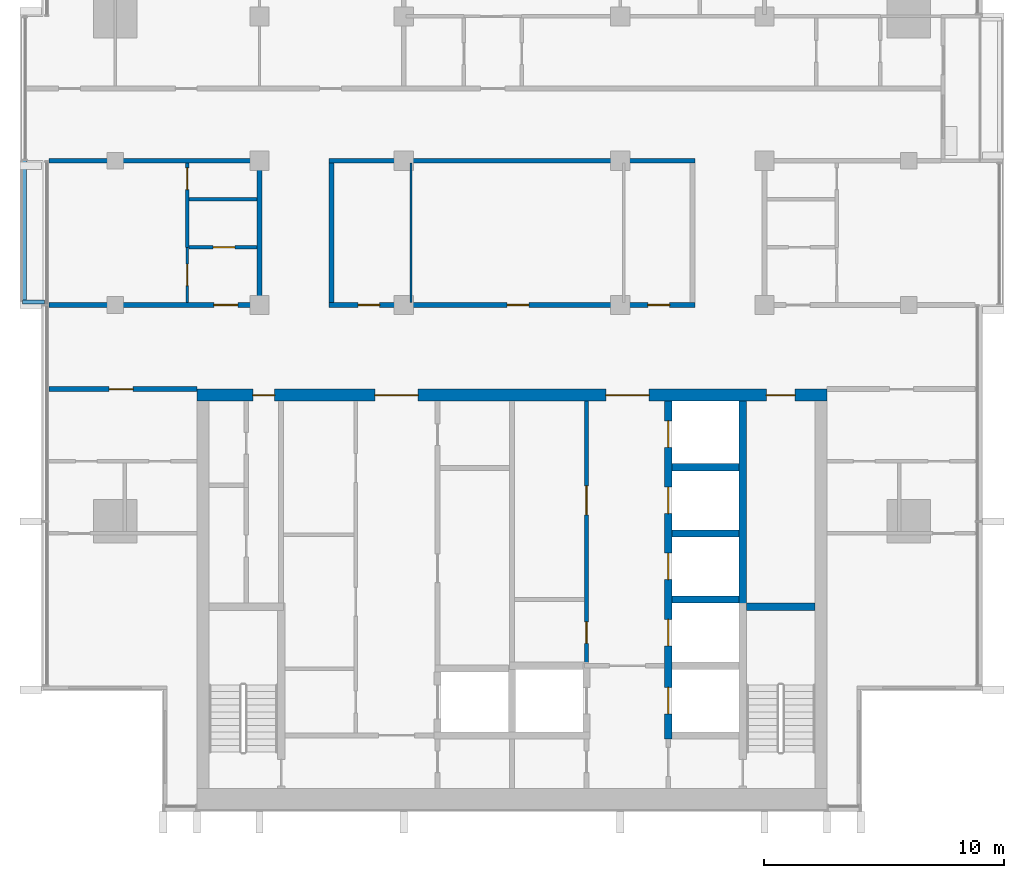
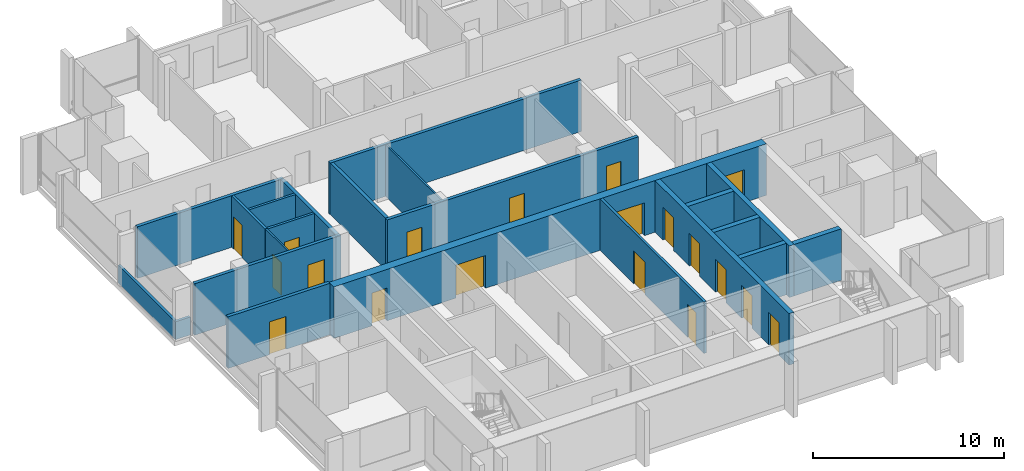
# One storey, part 8 of 16: 22 walls, 19 doors, 19 openings.
"""IFC4 building model written with IfcOpenShell, lengths in metres."""

import ifcopenshell
import ifcopenshell.guid

model = None  # the IFC model being written
_history = None  # IfcOwnerHistory: only IFC2X3 demands one
_inside = {}  # id of a spatial element -> (the spatial element, [elements in it])
_under = {}  # id of a project, library or spatial element -> (it, [spatial elements below it])
_declared = {}  # id of a project -> (the project, [libraries it declares])
_typed = {}  # id of a type object -> (the type object, [elements of that type])
_made_of = {}  # id of a material, layer set ... -> (it, [elements and type objects made of it])


def new_model(schema):
    """Start an empty IFC model of exactly this schema.

    Asked for "IFC4X3", IfcOpenShell would pick the latest addendum, in which some entities
    have other attributes; the version numbers below select the first issue.
    IFC2X3 requires an IfcOwnerHistory on every rooted entity: one is made here for all.
    """
    global model, _history
    if schema == "IFC4X3":
        model = ifcopenshell.file(schema_version=(4, 3, 0, 0))
    else:
        model = ifcopenshell.file(schema=schema)
    _inside.clear()
    _under.clear()
    _declared.clear()
    _typed.clear()
    _made_of.clear()
    _history = None
    if model.schema == "IFC2X3":
        org = make("IfcOrganization", Name="unknown")
        user = make(
            "IfcPersonAndOrganization",
            ThePerson=make("IfcPerson", FamilyName="unknown"),
            TheOrganization=org,
        )
        app = make(
            "IfcApplication",
            ApplicationDeveloper=org,
            Version="unknown",
            ApplicationFullName="unknown",
            ApplicationIdentifier="unknown",
        )
        _history = make(
            "IfcOwnerHistory",
            OwningUser=user,
            OwningApplication=app,
            ChangeAction="ADDED",
            CreationDate=0,
        )
    return model


def make(cls, **values):
    """One entity of the class cls with the attributes given. An attribute that is None is left unset."""
    return model.create_entity(
        cls, **{name: value for name, value in values.items() if value is not None}
    )


def rooted(cls, **values):
    """An entity with a GlobalId (a new one), such as an element, a storey or a relation."""
    return make(cls, GlobalId=ifcopenshell.guid.new(), OwnerHistory=_history, **values)


def si_unit(unit_type, name, prefix=None):
    """IfcSIUnit, for example si_unit("LENGTHUNIT", "METRE", prefix="MILLI")."""
    return make("IfcSIUnit", UnitType=unit_type, Prefix=prefix, Name=name)


def assignment(units):
    """IfcUnitAssignment: the units of a project."""
    return None if units is None else make("IfcUnitAssignment", Units=units)


def point(xyz):
    """IfcCartesianPoint."""
    return None if xyz is None else make("IfcCartesianPoint", Coordinates=xyz)


def direction(xyz):
    """IfcDirection."""
    return None if xyz is None else make("IfcDirection", DirectionRatios=xyz)


def frame(location, z_axis=None, x_axis=None):
    """IfcAxis2Placement3D, a coordinate frame: its origin and axes. An axis left out is left unset."""
    return make(
        "IfcAxis2Placement3D",
        Location=point(location),
        Axis=direction(z_axis),
        RefDirection=direction(x_axis),
    )


def frame_2d(location, x_axis=None):
    """IfcAxis2Placement2D, a coordinate frame in the plane: its origin and x axis."""
    return make(
        "IfcAxis2Placement2D", Location=point(location), RefDirection=direction(x_axis)
    )


def origin():
    """The frame at (0, 0, 0) with its axes left unset."""
    return frame((0.0, 0.0, 0.0))


def place(relative_to, where):
    """IfcLocalPlacement: puts the frame where relative to a parent placement (None: the world)."""
    return make(
        "IfcLocalPlacement", PlacementRelTo=relative_to, RelativePlacement=where
    )


def context(
    kind, dimensions, precision=None, world=None, true_north=None, identifier=None
):
    """IfcGeometricRepresentationContext, for example the 3D "Model" context."""
    return make(
        "IfcGeometricRepresentationContext",
        ContextIdentifier=identifier,
        ContextType=kind,
        CoordinateSpaceDimension=dimensions,
        Precision=precision,
        WorldCoordinateSystem=world,
        TrueNorth=true_north,
    )


def subcontext(parent, identifier, kind, view, scale=None):
    """IfcGeometricRepresentationSubContext, for example "Body" below "Model"."""
    return make(
        "IfcGeometricRepresentationSubContext",
        ContextIdentifier=identifier,
        ContextType=kind,
        ParentContext=parent,
        TargetScale=scale,
        TargetView=view,
    )


def project(units=None, contexts=None):
    """IfcProject with its units and contexts."""
    return rooted(
        "IfcProject",
        Name="project",
        RepresentationContexts=contexts,
        UnitsInContext=assignment(units),
    )


def spatial(cls, under=None, at=None, **own):
    """A site, building, storey or space (cls), placed at a placement, below another one or the project."""
    s = rooted(cls, ObjectPlacement=at, **own)
    if under is not None:
        _under.setdefault(under.id(), (under, []))[1].append(s)
    return s


def profile(cls, at=None, kind="AREA", **sizes):
    """A parametric profile (cls). Its sizes go by their IFC names, for example OverallWidth=200.0."""
    return make(cls, ProfileType=kind, Position=at, **sizes)


def rectangle(**sizes):
    """IfcRectangleProfileDef."""
    return profile("IfcRectangleProfileDef", **sizes)


def extrude(swept, where, along, depth):
    """IfcExtrudedAreaSolid: the profile swept, set in the frame where, extruded along a direction by depth."""
    return make(
        "IfcExtrudedAreaSolid",
        SweptArea=swept,
        Position=where,
        ExtrudedDirection=direction(along),
        Depth=depth,
    )


def shape(context_of_items, identifier, shape_type, items):
    """IfcShapeRepresentation: the items that make up one representation, for example the "Body"."""
    return make(
        "IfcShapeRepresentation",
        ContextOfItems=context_of_items,
        RepresentationIdentifier=identifier,
        RepresentationType=shape_type,
        Items=items,
    )


def material(Name=None, Category=None):
    """IfcMaterial."""
    return make("IfcMaterial", Name=Name, Category=Category)


def layer(
    of_material, thickness, ventilated=None, Name=None, Category=None, Priority=None
):
    """IfcMaterialLayer: one layer of a wall or slab, of a material (None: an air gap)."""
    return make(
        "IfcMaterialLayer",
        Material=of_material,
        LayerThickness=thickness,
        IsVentilated=ventilated,
        Name=Name,
        Category=Category,
        Priority=Priority,
    )


def layer_set(layers, Name=None):
    """IfcMaterialLayerSet."""
    return make("IfcMaterialLayerSet", MaterialLayers=layers, LayerSetName=Name)


def made_of(thing, what):
    """Note that an element or type object is made of a material, layer set ...; save() writes the relation."""
    if what is not None:
        _made_of.setdefault(what.id(), (what, []))[1].append(thing)
    return thing


def type_object(cls, material=None, **own):
    """A type object (cls), such as IfcWallType, which elements share."""
    return made_of(rooted(cls, **own), material)


def element(
    cls,
    number,
    at=None,
    inside=None,
    cuts=None,
    type_object=None,
    material=None,
    context=None,
    identifier="Body",
    shape_type=None,
    held_by="IfcProductDefinitionShape",
    body=None,
    shapes=None,
    **own,
):
    """One element of the class cls, such as IfcWall. Its Tag is "e" and its number.

    at: its placement. inside: the storey or other place that contains it. cuts: it is an
    opening in that element (IfcRelVoidsElement). A single representation is given by context,
    identifier, shape_type and body (its items); several are given by shapes. held_by: the class
    of the entity that holds the representations. save() writes the other relations.
    """
    e = rooted(cls, Tag="e%d" % number, ObjectPlacement=at, **own)
    if body is not None:
        shapes = [shape(context, identifier, shape_type, body)]
    if shapes is not None:
        e.Representation = make(held_by, Representations=shapes)
    if inside is not None:
        _inside.setdefault(inside.id(), (inside, []))[1].append(e)
    if cuts is not None:
        rooted(
            "IfcRelVoidsElement", RelatingBuildingElement=cuts, RelatedOpeningElement=e
        )
    if type_object is not None:
        _typed.setdefault(type_object.id(), (type_object, []))[1].append(e)
    return made_of(e, material)


def fill(opening, filler):
    """IfcRelFillsElement: the door or window that sits in an opening."""
    return rooted(
        "IfcRelFillsElement",
        RelatingOpeningElement=opening,
        RelatedBuildingElement=filler,
    )


def aggregate(whole, parts):
    """IfcRelAggregates: a whole, such as a stair, and the parts it consists of."""
    return rooted("IfcRelAggregates", RelatingObject=whole, RelatedObjects=parts)


def save(model, path):
    """Write the relations noted so far, then the file.

    IfcRelAggregates (storeys below a building ...), IfcRelContainedInSpatialStructure (elements
    in a storey), IfcRelDefinesByType, IfcRelAssociatesMaterial and IfcRelDeclares: one each for
    every whole, place, type object, material and project.
    """
    for whole, parts in _under.values():
        aggregate(whole, parts)
    for where, things in _inside.values():
        rooted(
            "IfcRelContainedInSpatialStructure",
            RelatedElements=things,
            RelatingStructure=where,
        )
    for kind, things in _typed.values():
        rooted("IfcRelDefinesByType", RelatedObjects=things, RelatingType=kind)
    for what, things in _made_of.values():
        rooted("IfcRelAssociatesMaterial", RelatedObjects=things, RelatingMaterial=what)
    for by, libraries in _declared.values():
        rooted("IfcRelDeclares", RelatingContext=by, RelatedDefinitions=libraries)
    model.write(path)


model = new_model("IFC4")

# Units and contexts
model_context = context("Model", 3, precision=1e-05, world=origin(), true_north=direction((0.0, 1.0)))
body_context = subcontext(model_context, "Body", "Model", "MODEL_VIEW")
ifc_project = project(units=[si_unit("LENGTHUNIT", "METRE"), si_unit("AREAUNIT", "SQUARE_METRE"), si_unit("VOLUMEUNIT", "CUBIC_METRE"), si_unit("PLANEANGLEUNIT", "RADIAN"), si_unit("MASSUNIT", "GRAM", prefix="KILO")], contexts=[model_context])

# Site, building, storey
site_placement = place(None, origin())
site = spatial("IfcSite", under=ifc_project, at=site_placement, CompositionType="ELEMENT")
building_placement = place(site_placement, origin())
building = spatial("IfcBuilding", under=site, at=building_placement, Name="Finial Court Residences", CompositionType="ELEMENT")
storey_placement = place(building_placement, frame((0.0, 0.0, 259.10009765625)))
storey = spatial("IfcBuildingStorey", under=building, at=storey_placement, Name="L65", CompositionType="ELEMENT", Elevation=259.10009765625)

# Wall, openings, doors
ifc_material_1 = material(Name="Concrete C50/60", Category="concrete")
ifc_layer_1 = layer(ifc_material_1, 0.5)
ifc_layer_set_1 = layer_set([ifc_layer_1], Name="Core outer wall 500 Concrete C50/60")
wall_type_1 = type_object("IfcWallType", Name="Core outer wall 500 Concrete C50/60", PredefinedType="SHEAR", material=ifc_layer_set_1)
wall_1_placement = place(storey_placement, frame((-13.10009765625, -8.25, 0.0), z_axis=(0.0, 0.0, 1.0), x_axis=(1.0, 0.0, 0.0)))
wall_1 = element("IfcWall", 1, at=wall_1_placement, inside=storey, type_object=wall_type_1, Name="Core outer wall L65-02", PredefinedType="SHEAR", context=body_context, shape_type="SweptSolid", body=[
    extrude(rectangle(XDim=26.2001953125, YDim=0.5, at=frame_2d((13.10009765625, 0.0))), origin(), (0.0, 0.0, 1.0), 3.2998046875),
])
opening_1_placement = place(wall_1_placement, frame((7.39990234375, 0.0, 0.0)))
opening_1 = element("IfcOpeningElement", 2, at=opening_1_placement, cuts=wall_1, Name="Opening L65-C04", PredefinedType="OPENING", context=body_context, shape_type="SweptSolid", body=[
    extrude(rectangle(XDim=1.800048828125, YDim=2.10009765625, at=frame_2d((0.89990234375, 1.050048828125))), frame((0.0, 0.260009765625, 0.0), z_axis=(0.0, -1.0, 0.0), x_axis=(1.0, 0.0, 0.0)), (0.0, 0.0, 1.0), 0.52001953125),
])
opening_2_placement = place(wall_1_placement, frame((17.0, 0.0, 0.0)))
opening_2 = element("IfcOpeningElement", 3, at=opening_2_placement, cuts=wall_1, Name="Opening L65-C05", PredefinedType="OPENING", context=body_context, shape_type="SweptSolid", body=[
    extrude(rectangle(XDim=1.800048828125, YDim=2.10009765625, at=frame_2d((0.89990234375, 1.050048828125))), frame((0.0, 0.260009765625, 0.0), z_axis=(0.0, -1.0, 0.0), x_axis=(1.0, 0.0, 0.0)), (0.0, 0.0, 1.0), 0.52001953125),
])
opening_3_placement = place(wall_1_placement, frame((2.324951171875, 0.0, 0.0)))
opening_3 = element("IfcOpeningElement", 4, at=opening_3_placement, cuts=wall_1, Name="Opening L65-C10", PredefinedType="OPENING", context=body_context, shape_type="SweptSolid", body=[
    extrude(rectangle(XDim=0.89990234375, YDim=2.10009765625, at=frame_2d((0.449951171875, 1.050048828125))), frame((0.0, 0.260009765625, 0.0), z_axis=(0.0, -1.0, 0.0), x_axis=(1.0, 0.0, 0.0)), (0.0, 0.0, 1.0), 0.52001953125),
])
opening_4_placement = place(wall_1_placement, frame((23.675048828125, 0.0, 0.0)))
opening_4 = element("IfcOpeningElement", 5, at=opening_4_placement, cuts=wall_1, Name="Opening L65-C11", PredefinedType="OPENING", context=body_context, shape_type="SweptSolid", body=[
    extrude(rectangle(XDim=1.199951171875, YDim=2.10009765625, at=frame_2d((0.60009765625, 1.050048828125))), frame((0.0, 0.260009765625, 0.0), z_axis=(0.0, -1.0, 0.0), x_axis=(1.0, 0.0, 0.0)), (0.0, 0.0, 1.0), 0.52001953125),
])
ifc_material_2 = material(Name="Steel fire door", Category="steel")
door_type_1 = type_object("IfcDoorType", Name="Lift lobby door 1800 x 2100 EI 60", OperationType="DOUBLE_DOOR_SINGLE_SWING", PredefinedType="DOOR", material=ifc_material_2)
door_1_placement = place(opening_1_placement, origin())
door_1 = element("IfcDoor", 6, at=door_1_placement, inside=storey, type_object=door_type_1, Name="Lift lobby door L65-C04", OperationType="DOUBLE_DOOR_SINGLE_SWING", OverallHeight=2.10009765625, OverallWidth=1.800048828125, PredefinedType="DOOR", context=body_context, shape_type="SweptSolid", body=[
    extrude(rectangle(XDim=1.800048828125, YDim=2.10009765625, at=frame_2d((0.89990234375, 1.050048828125))), frame((0.0, 0.02490234375, 0.0), z_axis=(0.0, -1.0, 0.0), x_axis=(1.0, 0.0, 0.0)), (0.0, 0.0, 1.0), 0.050048828125),
])
fill(opening_1, door_1)
door_2_placement = place(opening_2_placement, origin())
door_2 = element("IfcDoor", 7, at=door_2_placement, inside=storey, type_object=door_type_1, Name="Lift lobby door L65-C05", OperationType="DOUBLE_DOOR_SINGLE_SWING", OverallHeight=2.10009765625, OverallWidth=1.800048828125, PredefinedType="DOOR", context=body_context, shape_type="SweptSolid", body=[
    extrude(rectangle(XDim=1.800048828125, YDim=2.10009765625, at=frame_2d((0.89990234375, 1.050048828125))), frame((0.0, 0.02490234375, 0.0), z_axis=(0.0, -1.0, 0.0), x_axis=(1.0, 0.0, 0.0)), (0.0, 0.0, 1.0), 0.050048828125),
])
fill(opening_2, door_2)
door_type_2 = type_object("IfcDoorType", Name="Riser room door 1200 x 2100 EI 90", OperationType="NOTDEFINED", PredefinedType="DOOR", material=ifc_material_2)
door_3_placement = place(opening_4_placement, origin())
door_3 = element("IfcDoor", 8, at=door_3_placement, inside=storey, type_object=door_type_2, Name="Riser room door L65-C11", OperationType="SINGLE_SWING_RIGHT", OverallHeight=2.10009765625, OverallWidth=1.199951171875, PredefinedType="DOOR", context=body_context, shape_type="SweptSolid", body=[
    extrude(rectangle(XDim=1.199951171875, YDim=2.10009765625, at=frame_2d((0.60009765625, 1.050048828125))), frame((0.0, 0.02490234375, 0.0), z_axis=(0.0, -1.0, 0.0), x_axis=(1.0, 0.0, 0.0)), (0.0, 0.0, 1.0), 0.050048828125),
])
fill(opening_4, door_3)
door_type_3 = type_object("IfcDoorType", Name="Riser room door 900 x 2100 EI 90", OperationType="NOTDEFINED", PredefinedType="DOOR", material=ifc_material_2)
door_4_placement = place(opening_3_placement, origin())
door_4 = element("IfcDoor", 9, at=door_4_placement, inside=storey, type_object=door_type_3, Name="Riser room door L65-C10", OperationType="SINGLE_SWING_RIGHT", OverallHeight=2.10009765625, OverallWidth=0.89990234375, PredefinedType="DOOR", context=body_context, shape_type="SweptSolid", body=[
    extrude(rectangle(XDim=0.89990234375, YDim=2.10009765625, at=frame_2d((0.449951171875, 1.050048828125))), frame((0.0, 0.02490234375, 0.0), z_axis=(0.0, -1.0, 0.0), x_axis=(1.0, 0.0, 0.0)), (0.0, 0.0, 1.0), 0.050048828125),
])
fill(opening_3, door_4)

ifc_material_3 = material(Name="Fire-rated gypsum board partition")
ifc_layer_2 = layer(ifc_material_3, 0.14990234375)
ifc_layer_set_2 = layer_set([ifc_layer_2], Name="Core room partition 150 EI 60")
wall_type_2 = type_object("IfcWallType", Name="Core room partition 150 EI 60", PredefinedType="PARTITIONING", material=ifc_layer_set_2)
wall_2_placement = place(storey_placement, frame((3.10009765625, -19.39990234375, 0.0), z_axis=(0.0, 0.0, 1.0), x_axis=(0.0, 1.0, 0.0)))
wall_2 = element("IfcWall", 10, at=wall_2_placement, inside=storey, type_object=wall_type_2, Name="Core partition L65-31", PredefinedType="PARTITIONING", context=body_context, shape_type="SweptSolid", body=[
    extrude(rectangle(XDim=10.89990234375, YDim=0.14990234375, at=frame_2d((5.449951171875, 0.0))), origin(), (0.0, 0.0, 1.0), 3.2998046875),
])
opening_5_placement = place(wall_2_placement, frame((0.824951171875, 0.0, 0.0)))
opening_5 = element("IfcOpeningElement", 11, at=opening_5_placement, cuts=wall_2, Name="Opening L65-C17", PredefinedType="OPENING", context=body_context, shape_type="SweptSolid", body=[
    extrude(rectangle(XDim=0.89990234375, YDim=2.10009765625, at=frame_2d((0.449951171875, 1.050048828125))), frame((0.0, 0.0849609375, 0.0), z_axis=(0.0, -1.0, 0.0), x_axis=(1.0, 0.0, 0.0)), (0.0, 0.0, 1.0), 0.169921875),
])
opening_6_placement = place(wall_2_placement, frame((6.175048828125, 0.0, 0.0)))
opening_6 = element("IfcOpeningElement", 12, at=opening_6_placement, cuts=wall_2, Name="Opening L65-C18", PredefinedType="OPENING", context=body_context, shape_type="SweptSolid", body=[
    extrude(rectangle(XDim=1.199951171875, YDim=2.10009765625, at=frame_2d((0.60009765625, 1.050048828125))), frame((0.0, 0.0849609375, 0.0), z_axis=(0.0, -1.0, 0.0), x_axis=(1.0, 0.0, 0.0)), (0.0, 0.0, 1.0), 0.169921875),
])
door_type_4 = type_object("IfcDoorType", Name="Core room door 1200 x 2100 EI 60", OperationType="NOTDEFINED", PredefinedType="DOOR", material=ifc_material_2)
door_5_placement = place(opening_6_placement, origin())
door_5 = element("IfcDoor", 13, at=door_5_placement, inside=storey, type_object=door_type_4, Name="Core room door L65-C18", OperationType="SINGLE_SWING_LEFT", OverallHeight=2.10009765625, OverallWidth=1.199951171875, PredefinedType="DOOR", context=body_context, shape_type="SweptSolid", body=[
    extrude(rectangle(XDim=1.199951171875, YDim=2.10009765625, at=frame_2d((0.60009765625, 1.050048828125))), frame((0.0, 0.02490234375, 0.0), z_axis=(0.0, -1.0, 0.0), x_axis=(1.0, 0.0, 0.0)), (0.0, 0.0, 1.0), 0.050048828125),
])
fill(opening_6, door_5)
door_type_5 = type_object("IfcDoorType", Name="Core room door 900 x 2100 EI 60", OperationType="NOTDEFINED", PredefinedType="DOOR", material=ifc_material_2)
door_6_placement = place(opening_5_placement, origin())
door_6 = element("IfcDoor", 14, at=door_6_placement, inside=storey, type_object=door_type_5, Name="Core room door L65-C17", OperationType="SINGLE_SWING_LEFT", OverallHeight=2.10009765625, OverallWidth=0.89990234375, PredefinedType="DOOR", context=body_context, shape_type="SweptSolid", body=[
    extrude(rectangle(XDim=0.89990234375, YDim=2.10009765625, at=frame_2d((0.449951171875, 1.050048828125))), frame((0.0, 0.02490234375, 0.0), z_axis=(0.0, -1.0, 0.0), x_axis=(1.0, 0.0, 0.0)), (0.0, 0.0, 1.0), 0.050048828125),
])
fill(opening_5, door_6)

# Wall, opening, door
ifc_material_4 = material(Name="Gypsum board")
ifc_layer_3 = layer(ifc_material_4, 0.02490234375)
ifc_material_5 = material(Name="Acoustic mineral wool in double frame")
ifc_layer_4 = layer(ifc_material_5, 0.14990234375)
ifc_layer_5 = layer(ifc_material_4, 0.02490234375)
ifc_layer_set_3 = layer_set([ifc_layer_3, ifc_layer_4, ifc_layer_5], Name="Corridor wall 200, 1 hour")
wall_type_3 = type_object("IfcWallType", Name="Corridor wall 200, 1 hour", PredefinedType="PARTITIONING", material=ifc_layer_set_3)
wall_3_placement = place(storey_placement, frame((-19.262451171875, -8.0, 0.0), z_axis=(0.0, 0.0, 1.0), x_axis=(1.0, 0.0, 0.0)))
wall_3 = element("IfcWall", 15, at=wall_3_placement, inside=storey, type_object=wall_type_3, Name="Partition L65-004", PredefinedType="PARTITIONING", context=body_context, shape_type="SweptSolid", body=[
    extrude(rectangle(XDim=6.162353515625, YDim=0.199951171875, at=frame_2d((3.0810546875, 0.0))), origin(), (0.0, 0.0, 1.0), 3.2998046875),
])
opening_7_placement = place(wall_3_placement, frame((2.511962890625, 0.0, 0.0)))
opening_7 = element("IfcOpeningElement", 16, at=opening_7_placement, cuts=wall_3, Name="Opening L65-D007", PredefinedType="OPENING", context=body_context, shape_type="SweptSolid", body=[
    extrude(rectangle(XDim=1.0, YDim=2.10009765625, at=frame_2d((0.5, 1.050048828125))), frame((0.0, 0.10986328125, 0.0), z_axis=(0.0, -1.0, 0.0), x_axis=(1.0, 0.0, 0.0)), (0.0, 0.0, 1.0), 0.219970703125),
])
ifc_material_6 = material(Name="Timber door leaf in hollow metal frame", Category="wood")
door_type_6 = type_object("IfcDoorType", Name="Fire door set 1000 x 2100, 30 minutes", OperationType="SINGLE_SWING_LEFT", PredefinedType="DOOR", material=ifc_material_6)
door_7_placement = place(opening_7_placement, origin())
door_7 = element("IfcDoor", 17, at=door_7_placement, inside=storey, type_object=door_type_6, Name="Door L65-D007", OperationType="SINGLE_SWING_LEFT", OverallHeight=2.10009765625, OverallWidth=1.0, PredefinedType="DOOR", context=body_context, shape_type="SweptSolid", body=[
    extrude(rectangle(XDim=1.0, YDim=2.10009765625, at=frame_2d((0.5, 1.050048828125))), frame((0.0, 0.02490234375, 0.0), z_axis=(0.0, -1.0, 0.0), x_axis=(1.0, 0.0, 0.0)), (0.0, 0.0, 1.0), 0.050048828125),
])
fill(opening_7, door_7)

wall_4_placement = place(storey_placement, frame((-19.262451171875, -4.5, 0.0), z_axis=(0.0, 0.0, 1.0), x_axis=(1.0, 0.0, 0.0)))
wall_4 = element("IfcWall", 18, at=wall_4_placement, inside=storey, type_object=wall_type_3, Name="Partition L65-006", PredefinedType="PARTITIONING", context=body_context, shape_type="SweptSolid", body=[
    extrude(rectangle(XDim=8.862548828125, YDim=0.199951171875, at=frame_2d((4.43115234375, 0.0))), origin(), (0.0, 0.0, 1.0), 3.2998046875),
])
opening_8_placement = place(wall_4_placement, frame((6.862060546875, 0.0, 0.0)))
opening_8 = element("IfcOpeningElement", 19, at=opening_8_placement, cuts=wall_4, Name="Opening L65-D009", PredefinedType="OPENING", context=body_context, shape_type="SweptSolid", body=[
    extrude(rectangle(XDim=1.0, YDim=2.10009765625, at=frame_2d((0.5, 1.050048828125))), frame((0.0, 0.10986328125, 0.0), z_axis=(0.0, -1.0, 0.0), x_axis=(1.0, 0.0, 0.0)), (0.0, 0.0, 1.0), 0.219970703125),
])
door_8_placement = place(opening_8_placement, origin())
door_8 = element("IfcDoor", 20, at=door_8_placement, inside=storey, type_object=door_type_6, Name="Door L65-D009", OperationType="SINGLE_SWING_LEFT", OverallHeight=2.10009765625, OverallWidth=1.0, PredefinedType="DOOR", context=body_context, shape_type="SweptSolid", body=[
    extrude(rectangle(XDim=1.0, YDim=2.10009765625, at=frame_2d((0.5, 1.050048828125))), frame((0.0, 0.02490234375, 0.0), z_axis=(0.0, -1.0, 0.0), x_axis=(1.0, 0.0, 0.0)), (0.0, 0.0, 1.0), 0.050048828125),
])
fill(opening_8, door_8)

# Wall, openings, doors
wall_5_placement = place(storey_placement, frame((-7.60009765625, -4.5, 0.0), z_axis=(0.0, 0.0, 1.0), x_axis=(1.0, 0.0, 0.0)))
wall_5 = element("IfcWall", 21, at=wall_5_placement, inside=storey, type_object=wall_type_3, Name="Partition L65-007", PredefinedType="PARTITIONING", context=body_context, shape_type="SweptSolid", body=[
    extrude(rectangle(XDim=15.2001953125, YDim=0.199951171875, at=frame_2d((7.60009765625, 0.0))), origin(), (0.0, 0.0, 1.0), 3.2998046875),
])
opening_9_placement = place(wall_5_placement, frame((1.199951171875, 0.0, 0.0)))
opening_9 = element("IfcOpeningElement", 22, at=opening_9_placement, cuts=wall_5, Name="Opening L65-D010", PredefinedType="OPENING", context=body_context, shape_type="SweptSolid", body=[
    extrude(rectangle(XDim=0.89990234375, YDim=2.10009765625, at=frame_2d((0.449951171875, 1.050048828125))), frame((0.0, 0.10986328125, 0.0), z_axis=(0.0, -1.0, 0.0), x_axis=(1.0, 0.0, 0.0)), (0.0, 0.0, 1.0), 0.219970703125),
])
opening_10_placement = place(wall_5_placement, frame((7.39990234375, 0.0, 0.0)))
opening_10 = element("IfcOpeningElement", 23, at=opening_10_placement, cuts=wall_5, Name="Opening L65-D011", PredefinedType="OPENING", context=body_context, shape_type="SweptSolid", body=[
    extrude(rectangle(XDim=0.89990234375, YDim=2.10009765625, at=frame_2d((0.449951171875, 1.050048828125))), frame((0.0, 0.10986328125, 0.0), z_axis=(0.0, -1.0, 0.0), x_axis=(1.0, 0.0, 0.0)), (0.0, 0.0, 1.0), 0.219970703125),
])
opening_11_placement = place(wall_5_placement, frame((13.25, 0.0, 0.0)))
opening_11 = element("IfcOpeningElement", 24, at=opening_11_placement, cuts=wall_5, Name="Opening L65-D012", PredefinedType="OPENING", context=body_context, shape_type="SweptSolid", body=[
    extrude(rectangle(XDim=0.89990234375, YDim=2.10009765625, at=frame_2d((0.449951171875, 1.050048828125))), frame((0.0, 0.10986328125, 0.0), z_axis=(0.0, -1.0, 0.0), x_axis=(1.0, 0.0, 0.0)), (0.0, 0.0, 1.0), 0.219970703125),
])
door_type_7 = type_object("IfcDoorType", Name="Fire door set 900 x 2100, 30 minutes", OperationType="SINGLE_SWING_LEFT", PredefinedType="DOOR", material=ifc_material_6)
door_9_placement = place(opening_9_placement, origin())
door_9 = element("IfcDoor", 25, at=door_9_placement, inside=storey, type_object=door_type_7, Name="Door L65-D010", OperationType="SINGLE_SWING_RIGHT", OverallHeight=2.10009765625, OverallWidth=0.89990234375, PredefinedType="DOOR", context=body_context, shape_type="SweptSolid", body=[
    extrude(rectangle(XDim=0.89990234375, YDim=2.10009765625, at=frame_2d((0.449951171875, 1.050048828125))), frame((0.0, 0.02490234375, 0.0), z_axis=(0.0, -1.0, 0.0), x_axis=(1.0, 0.0, 0.0)), (0.0, 0.0, 1.0), 0.050048828125),
])
fill(opening_9, door_9)
door_10_placement = place(opening_10_placement, origin())
door_10 = element("IfcDoor", 26, at=door_10_placement, inside=storey, type_object=door_type_7, Name="Door L65-D011", OperationType="SINGLE_SWING_LEFT", OverallHeight=2.10009765625, OverallWidth=0.89990234375, PredefinedType="DOOR", context=body_context, shape_type="SweptSolid", body=[
    extrude(rectangle(XDim=0.89990234375, YDim=2.10009765625, at=frame_2d((0.449951171875, 1.050048828125))), frame((0.0, 0.02490234375, 0.0), z_axis=(0.0, -1.0, 0.0), x_axis=(1.0, 0.0, 0.0)), (0.0, 0.0, 1.0), 0.050048828125),
])
fill(opening_10, door_10)
door_11_placement = place(opening_11_placement, origin())
door_11 = element("IfcDoor", 27, at=door_11_placement, inside=storey, type_object=door_type_7, Name="Door L65-D012", OperationType="SINGLE_SWING_LEFT", OverallHeight=2.10009765625, OverallWidth=0.89990234375, PredefinedType="DOOR", context=body_context, shape_type="SweptSolid", body=[
    extrude(rectangle(XDim=0.89990234375, YDim=2.10009765625, at=frame_2d((0.449951171875, 1.050048828125))), frame((0.0, 0.02490234375, 0.0), z_axis=(0.0, -1.0, 0.0), x_axis=(1.0, 0.0, 0.0)), (0.0, 0.0, 1.0), 0.050048828125),
])
fill(opening_11, door_11)

# Walls
wall_6_placement = place(storey_placement, frame((-19.262451171875, 1.5, 0.0), z_axis=(0.0, 0.0, 1.0), x_axis=(1.0, 0.0, 0.0)))
element("IfcWall", 28, at=wall_6_placement, inside=storey, type_object=wall_type_3, Name="Partition L65-013", PredefinedType="PARTITIONING", context=body_context, shape_type="SweptSolid", body=[
    extrude(rectangle(XDim=8.862548828125, YDim=0.199951171875, at=frame_2d((4.43115234375, 0.0))), origin(), (0.0, 0.0, 1.0), 3.2998046875),
])
wall_7_placement = place(storey_placement, frame((-7.60009765625, 1.5, 0.0), z_axis=(0.0, 0.0, 1.0), x_axis=(1.0, 0.0, 0.0)))
element("IfcWall", 29, at=wall_7_placement, inside=storey, type_object=wall_type_3, Name="Partition L65-014", PredefinedType="PARTITIONING", context=body_context, shape_type="SweptSolid", body=[
    extrude(rectangle(XDim=15.2001953125, YDim=0.199951171875, at=frame_2d((7.60009765625, 0.0))), origin(), (0.0, 0.0, 1.0), 3.2998046875),
])
for number, where, z_axis, x_axis, name in (
    (30, (-10.5, -4.39990234375, 0.0), (0.0, 0.0, 1.0), (0.0, 1.0, 0.0), "Partition L65-027"),
    (31, (-7.5, -4.39990234375, 0.0), (0.0, 0.0, 1.0), (0.0, 1.0, 0.0), "Partition L65-029"),
):
    element("IfcWall", number, at=place(storey_placement, frame(where, z_axis=z_axis, x_axis=x_axis)), inside=storey, type_object=wall_type_3, Name=name, PredefinedType="PARTITIONING", context=body_context, shape_type="SweptSolid", body=[
        extrude(rectangle(XDim=5.7998046875, YDim=0.199951171875, at=frame_2d((2.89990234375, 0.0))), origin(), (0.0, 0.0, 1.0), 3.2998046875),
    ])

# Wall, opening, door
ifc_layer_6 = layer(ifc_material_4, 0.012451171875)
ifc_material_7 = material(Name="Mineral wool in light-gauge frame")
ifc_layer_7 = layer(ifc_material_7, 0.074951171875)
ifc_layer_8 = layer(ifc_material_4, 0.012451171875)
ifc_layer_set_4 = layer_set([ifc_layer_6, ifc_layer_7, ifc_layer_8], Name="Gypsum board partition 100")
wall_type_4 = type_object("IfcWallType", Name="Gypsum board partition 100", PredefinedType="PARTITIONING", material=ifc_layer_set_4)
wall_8_placement = place(storey_placement, frame((-13.5, -4.39990234375, 0.0), z_axis=(0.0, 0.0, 1.0), x_axis=(0.0, 1.0, 0.0)))
wall_8 = element("IfcWall", 32, at=wall_8_placement, inside=storey, type_object=wall_type_4, Name="Partition L65-025", PredefinedType="PARTITIONING", context=body_context, shape_type="SweptSolid", body=[
    extrude(rectangle(XDim=2.2998046875, YDim=0.10009765625, at=frame_2d((1.14990234375, 0.0))), origin(), (0.0, 0.0, 1.0), 3.2998046875),
])
opening_12_placement = place(wall_8_placement, frame((0.699951171875, 0.0, 0.0)))
opening_12 = element("IfcOpeningElement", 33, at=opening_12_placement, cuts=wall_8, Name="Opening L65-D023", PredefinedType="OPENING", context=body_context, shape_type="SweptSolid", body=[
    extrude(rectangle(XDim=0.89990234375, YDim=2.10009765625, at=frame_2d((0.449951171875, 1.050048828125))), frame((0.0, 0.06005859375, 0.0), z_axis=(0.0, -1.0, 0.0), x_axis=(1.0, 0.0, 0.0)), (0.0, 0.0, 1.0), 0.1201171875),
])
ifc_material_8 = material(Name="Timber door leaf in timber frame", Category="wood")
door_type_8 = type_object("IfcDoorType", Name="Door set 900 x 2100", OperationType="SINGLE_SWING_LEFT", PredefinedType="DOOR", material=ifc_material_8)
door_12_placement = place(opening_12_placement, origin())
door_12 = element("IfcDoor", 34, at=door_12_placement, inside=storey, type_object=door_type_8, Name="Door L65-D023", OperationType="SINGLE_SWING_RIGHT", OverallHeight=2.10009765625, OverallWidth=0.89990234375, PredefinedType="DOOR", context=body_context, shape_type="SweptSolid", body=[
    extrude(rectangle(XDim=0.89990234375, YDim=2.10009765625, at=frame_2d((0.449951171875, 1.050048828125))), frame((0.0, 0.02490234375, 0.0), z_axis=(0.0, -1.0, 0.0), x_axis=(1.0, 0.0, 0.0)), (0.0, 0.0, 1.0), 0.050048828125),
])
fill(opening_12, door_12)

# Wall
wall_9_placement = place(storey_placement, frame((-4.199951171875, -4.39990234375, 0.0), z_axis=(0.0, 0.0, 1.0), x_axis=(0.0, 1.0, 0.0)))
element("IfcWall", 35, at=wall_9_placement, inside=storey, type_object=wall_type_4, Name="Partition L65-031", PredefinedType="PARTITIONING", context=body_context, shape_type="SweptSolid", body=[
    extrude(rectangle(XDim=5.7998046875, YDim=0.10009765625, at=frame_2d((2.89990234375, 0.0))), origin(), (0.0, 0.0, 1.0), 3.2998046875),
])

# Wall, opening, door
ifc_material_9 = material(Name="Moisture-resistant gypsum board")
ifc_layer_9 = layer(ifc_material_9, 0.012451171875)
ifc_layer_10 = layer(ifc_material_7, 0.125)
ifc_layer_11 = layer(ifc_material_9, 0.012451171875)
ifc_layer_set_5 = layer_set([ifc_layer_9, ifc_layer_10, ifc_layer_11], Name="Gypsum board wet-area partition 150")
wall_type_5 = type_object("IfcWallType", Name="Gypsum board wet-area partition 150", PredefinedType="PARTITIONING", material=ifc_layer_set_5)
wall_10_placement = place(storey_placement, frame((-13.425048828125, -2.10009765625, 0.0), z_axis=(0.0, 0.0, 1.0), x_axis=(1.0, 0.0, 0.0)))
wall_10 = element("IfcWall", 36, at=wall_10_placement, inside=storey, type_object=wall_type_5, Name="Partition L65-009", PredefinedType="PARTITIONING", context=body_context, shape_type="SweptSolid", body=[
    extrude(rectangle(XDim=2.824951171875, YDim=0.14990234375, at=frame_2d((1.41259765625, 0.0))), origin(), (0.0, 0.0, 1.0), 3.2998046875),
])
opening_13_placement = place(wall_10_placement, frame((1.0, 0.0, 0.0)))
opening_13 = element("IfcOpeningElement", 37, at=opening_13_placement, cuts=wall_10, Name="Opening L65-D014", PredefinedType="OPENING", context=body_context, shape_type="SweptSolid", body=[
    extrude(rectangle(XDim=0.89990234375, YDim=2.10009765625, at=frame_2d((0.449951171875, 1.050048828125))), frame((0.0, 0.0849609375, 0.0), z_axis=(0.0, -1.0, 0.0), x_axis=(1.0, 0.0, 0.0)), (0.0, 0.0, 1.0), 0.169921875),
])
door_13_placement = place(opening_13_placement, origin())
door_13 = element("IfcDoor", 38, at=door_13_placement, inside=storey, type_object=door_type_8, Name="Door L65-D014", OperationType="SINGLE_SWING_LEFT", OverallHeight=2.10009765625, OverallWidth=0.89990234375, PredefinedType="DOOR", context=body_context, shape_type="SweptSolid", body=[
    extrude(rectangle(XDim=0.89990234375, YDim=2.10009765625, at=frame_2d((0.449951171875, 1.050048828125))), frame((0.0, 0.02490234375, 0.0), z_axis=(0.0, -1.0, 0.0), x_axis=(1.0, 0.0, 0.0)), (0.0, 0.0, 1.0), 0.050048828125),
])
fill(opening_13, door_13)

# Wall
wall_11_placement = place(storey_placement, frame((-13.425048828125, -0.10009765625, 0.0), z_axis=(0.0, 0.0, 1.0), x_axis=(1.0, 0.0, 0.0)))
element("IfcWall", 39, at=wall_11_placement, inside=storey, type_object=wall_type_5, Name="Partition L65-011", PredefinedType="PARTITIONING", context=body_context, shape_type="SweptSolid", body=[
    extrude(rectangle(XDim=2.824951171875, YDim=0.14990234375, at=frame_2d((1.41259765625, 0.0))), origin(), (0.0, 0.0, 1.0), 3.2998046875),
])

# Wall, opening, door
wall_12_placement = place(storey_placement, frame((-13.5, -2.10009765625, 0.0), z_axis=(0.0, 0.0, 1.0), x_axis=(0.0, 1.0, 0.0)))
wall_12 = element("IfcWall", 40, at=wall_12_placement, inside=storey, type_object=wall_type_5, Name="Partition L65-026", PredefinedType="PARTITIONING", context=body_context, shape_type="SweptSolid", body=[
    extrude(rectangle(XDim=3.5, YDim=0.14990234375, at=frame_2d((1.75, 0.0))), origin(), (0.0, 0.0, 1.0), 3.2998046875),
])
opening_14_placement = place(wall_12_placement, frame((2.39990234375, 0.0, 0.0)))
opening_14 = element("IfcOpeningElement", 41, at=opening_14_placement, cuts=wall_12, Name="Opening L65-D024", PredefinedType="OPENING", context=body_context, shape_type="SweptSolid", body=[
    extrude(rectangle(XDim=0.89990234375, YDim=2.10009765625, at=frame_2d((0.449951171875, 1.050048828125))), frame((0.0, 0.0849609375, 0.0), z_axis=(0.0, -1.0, 0.0), x_axis=(1.0, 0.0, 0.0)), (0.0, 0.0, 1.0), 0.169921875),
])
door_14_placement = place(opening_14_placement, origin())
door_14 = element("IfcDoor", 42, at=door_14_placement, inside=storey, type_object=door_type_8, Name="Door L65-D024", OperationType="SINGLE_SWING_RIGHT", OverallHeight=2.10009765625, OverallWidth=0.89990234375, PredefinedType="DOOR", context=body_context, shape_type="SweptSolid", body=[
    extrude(rectangle(XDim=0.89990234375, YDim=2.10009765625, at=frame_2d((0.449951171875, 1.050048828125))), frame((0.0, 0.02490234375, 0.0), z_axis=(0.0, -1.0, 0.0), x_axis=(1.0, 0.0, 0.0)), (0.0, 0.0, 1.0), 0.050048828125),
])
fill(opening_14, door_14)

# Walls
ifc_material_10 = material(Name="Concrete C35/45", Category="concrete")
ifc_layer_12 = layer(ifc_material_10, 0.14990234375)
ifc_layer_set_6 = layer_set([ifc_layer_12], Name="Ledge parapet, Concrete C35/45 150")
wall_type_6 = type_object("IfcWallType", Name="Ledge parapet, Concrete C35/45 150", PredefinedType="PARAPET", material=ifc_layer_set_6)
wall_13_placement = place(storey_placement, frame((-19.447509765625, -4.375, 0.0), z_axis=(0.0, 0.0, 1.0), x_axis=(-1.0, 0.0, 0.0)))
element("IfcWall", 43, at=wall_13_placement, inside=storey, type_object=wall_type_6, Name="E-L65-LED1-P1", PredefinedType="PARAPET", context=body_context, shape_type="SweptSolid", body=[
    extrude(rectangle(XDim=0.902587890625, YDim=0.14990234375, at=frame_2d((0.451171875, 0.0))), origin(), (0.0, 0.0, 1.0), 1.14990234375),
])
wall_14_placement = place(storey_placement, frame((-20.27490234375, -4.300048828125, 0.0), z_axis=(0.0, 0.0, 1.0), x_axis=(0.0, 1.0, 0.0)))
element("IfcWall", 44, at=wall_14_placement, inside=storey, type_object=wall_type_6, Name="E-L65-LED1-P2", PredefinedType="PARAPET", context=body_context, shape_type="SweptSolid", body=[
    extrude(rectangle(XDim=5.8525390625, YDim=0.14990234375, at=frame_2d((2.92626953125, 0.0))), origin(), (0.0, 0.0, 1.0), 1.14990234375),
])
ifc_layer_13 = layer(ifc_material_1, 0.300048828125)
ifc_layer_set_7 = layer_set([ifc_layer_13], Name="Lift shaft and stair wall 300 Concrete C50/60")
wall_type_7 = type_object("IfcWallType", Name="Lift shaft and stair wall 300 Concrete C50/60", PredefinedType="SHEAR", material=ifc_layer_set_7)
wall_15_placement = place(storey_placement, frame((9.75, -17.050048828125, 0.0), z_axis=(0.0, 0.0, 1.0), x_axis=(1.0, 0.0, 0.0)))
element("IfcWall", 45, at=wall_15_placement, inside=storey, type_object=wall_type_7, Name="Core wall L65-10", PredefinedType="SHEAR", context=body_context, shape_type="SweptSolid", body=[
    extrude(rectangle(XDim=2.85009765625, YDim=0.300048828125, at=frame_2d((1.425048828125, 0.0))), origin(), (0.0, 0.0, 1.0), 3.2998046875),
])
for number, where, z_axis, x_axis, name in (
    (46, (6.64990234375, -16.75, 0.0), (0.0, 0.0, 1.0), (1.0, 0.0, 0.0), "Core wall L65-12"),
    (47, (6.64990234375, -14.0, 0.0), (0.0, 0.0, 1.0), (1.0, 0.0, 0.0), "Core wall L65-14"),
    (48, (6.64990234375, -11.25, 0.0), (0.0, 0.0, 1.0), (1.0, 0.0, 0.0), "Core wall L65-17"),
):
    element("IfcWall", number, at=place(storey_placement, frame(where, z_axis=z_axis, x_axis=x_axis)), inside=storey, type_object=wall_type_7, Name=name, PredefinedType="SHEAR", context=body_context, shape_type="SweptSolid", body=[
        extrude(rectangle(XDim=2.800048828125, YDim=0.300048828125, at=frame_2d((1.39990234375, 0.0))), origin(), (0.0, 0.0, 1.0), 3.2998046875),
    ])

# Wall, openings, doors
wall_16_placement = place(storey_placement, frame((6.5, -22.550048828125, 0.0), z_axis=(0.0, 0.0, 1.0), x_axis=(0.0, 1.0, 0.0)))
wall_16 = element("IfcWall", 49, at=wall_16_placement, inside=storey, type_object=wall_type_7, Name="Core wall L65-33", PredefinedType="SHEAR", context=body_context, shape_type="SweptSolid", body=[
    extrude(rectangle(XDim=14.050048828125, YDim=0.300048828125, at=frame_2d((7.02490234375, 0.0))), origin(), (0.0, 0.0, 1.0), 3.2998046875),
])
opening_15_placement = place(wall_16_placement, frame((1.050048828125, 0.0, 0.0)))
opening_15 = element("IfcOpeningElement", 50, at=opening_15_placement, cuts=wall_16, Name="Opening L65-LD02", PredefinedType="OPENING", context=body_context, shape_type="SweptSolid", body=[
    extrude(rectangle(XDim=1.10009765625, YDim=2.10009765625, at=frame_2d((0.550048828125, 1.050048828125))), frame((0.0, 0.159912109375, 0.0), z_axis=(0.0, -1.0, 0.0), x_axis=(1.0, 0.0, 0.0)), (0.0, 0.0, 1.0), 0.320068359375),
])
opening_16_placement = place(wall_16_placement, frame((3.875, 0.0, 0.0)))
opening_16 = element("IfcOpeningElement", 51, at=opening_16_placement, cuts=wall_16, Name="Opening L65-LD03", PredefinedType="OPENING", context=body_context, shape_type="SweptSolid", body=[
    extrude(rectangle(XDim=1.10009765625, YDim=2.10009765625, at=frame_2d((0.550048828125, 1.050048828125))), frame((0.0, 0.159912109375, 0.0), z_axis=(0.0, -1.0, 0.0), x_axis=(1.0, 0.0, 0.0)), (0.0, 0.0, 1.0), 0.320068359375),
])
opening_17_placement = place(wall_16_placement, frame((6.625, 0.0, 0.0)))
opening_17 = element("IfcOpeningElement", 52, at=opening_17_placement, cuts=wall_16, Name="Opening L65-LD04", PredefinedType="OPENING", context=body_context, shape_type="SweptSolid", body=[
    extrude(rectangle(XDim=1.10009765625, YDim=2.10009765625, at=frame_2d((0.550048828125, 1.050048828125))), frame((0.0, 0.159912109375, 0.0), z_axis=(0.0, -1.0, 0.0), x_axis=(1.0, 0.0, 0.0)), (0.0, 0.0, 1.0), 0.320068359375),
])
opening_18_placement = place(wall_16_placement, frame((9.375, 0.0, 0.0)))
opening_18 = element("IfcOpeningElement", 53, at=opening_18_placement, cuts=wall_16, Name="Opening L65-LD05", PredefinedType="OPENING", context=body_context, shape_type="SweptSolid", body=[
    extrude(rectangle(XDim=1.10009765625, YDim=2.10009765625, at=frame_2d((0.550048828125, 1.050048828125))), frame((0.0, 0.159912109375, 0.0), z_axis=(0.0, -1.0, 0.0), x_axis=(1.0, 0.0, 0.0)), (0.0, 0.0, 1.0), 0.320068359375),
])
opening_19_placement = place(wall_16_placement, frame((12.125, 0.0, 0.0)))
opening_19 = element("IfcOpeningElement", 54, at=opening_19_placement, cuts=wall_16, Name="Opening L65-LD06", PredefinedType="OPENING", context=body_context, shape_type="SweptSolid", body=[
    extrude(rectangle(XDim=1.10009765625, YDim=2.10009765625, at=frame_2d((0.550048828125, 1.050048828125))), frame((0.0, 0.159912109375, 0.0), z_axis=(0.0, -1.0, 0.0), x_axis=(1.0, 0.0, 0.0)), (0.0, 0.0, 1.0), 0.320068359375),
])
ifc_material_11 = material(Name="Stainless steel lift door", Category="steel")
door_type_9 = type_object("IfcDoorType", Name="Lift landing door 1100 x 2100 EI 90", OperationType="DOUBLE_DOOR_SLIDING", PredefinedType="DOOR", material=ifc_material_11)
door_15_placement = place(opening_15_placement, origin())
door_15 = element("IfcDoor", 55, at=door_15_placement, inside=storey, type_object=door_type_9, Name="Lift landing door FF2 L65", OperationType="DOUBLE_DOOR_SLIDING", OverallHeight=2.10009765625, OverallWidth=1.10009765625, PredefinedType="DOOR", context=body_context, shape_type="SweptSolid", body=[
    extrude(rectangle(XDim=1.10009765625, YDim=2.10009765625, at=frame_2d((0.550048828125, 1.050048828125))), frame((0.0, 0.02490234375, 0.0), z_axis=(0.0, -1.0, 0.0), x_axis=(1.0, 0.0, 0.0)), (0.0, 0.0, 1.0), 0.050048828125),
])
fill(opening_15, door_15)
door_16_placement = place(opening_16_placement, origin())
door_16 = element("IfcDoor", 56, at=door_16_placement, inside=storey, type_object=door_type_9, Name="Lift landing door HR5 L65", OperationType="DOUBLE_DOOR_SLIDING", OverallHeight=2.10009765625, OverallWidth=1.10009765625, PredefinedType="DOOR", context=body_context, shape_type="SweptSolid", body=[
    extrude(rectangle(XDim=1.10009765625, YDim=2.10009765625, at=frame_2d((0.550048828125, 1.050048828125))), frame((0.0, 0.02490234375, 0.0), z_axis=(0.0, -1.0, 0.0), x_axis=(1.0, 0.0, 0.0)), (0.0, 0.0, 1.0), 0.050048828125),
])
fill(opening_16, door_16)
door_17_placement = place(opening_17_placement, origin())
door_17 = element("IfcDoor", 57, at=door_17_placement, inside=storey, type_object=door_type_9, Name="Lift landing door HR6 L65", OperationType="DOUBLE_DOOR_SLIDING", OverallHeight=2.10009765625, OverallWidth=1.10009765625, PredefinedType="DOOR", context=body_context, shape_type="SweptSolid", body=[
    extrude(rectangle(XDim=1.10009765625, YDim=2.10009765625, at=frame_2d((0.550048828125, 1.050048828125))), frame((0.0, 0.02490234375, 0.0), z_axis=(0.0, -1.0, 0.0), x_axis=(1.0, 0.0, 0.0)), (0.0, 0.0, 1.0), 0.050048828125),
])
fill(opening_17, door_17)
door_18_placement = place(opening_18_placement, origin())
door_18 = element("IfcDoor", 58, at=door_18_placement, inside=storey, type_object=door_type_9, Name="Lift landing door HR7 L65", OperationType="DOUBLE_DOOR_SLIDING", OverallHeight=2.10009765625, OverallWidth=1.10009765625, PredefinedType="DOOR", context=body_context, shape_type="SweptSolid", body=[
    extrude(rectangle(XDim=1.10009765625, YDim=2.10009765625, at=frame_2d((0.550048828125, 1.050048828125))), frame((0.0, 0.02490234375, 0.0), z_axis=(0.0, -1.0, 0.0), x_axis=(1.0, 0.0, 0.0)), (0.0, 0.0, 1.0), 0.050048828125),
])
fill(opening_18, door_18)
door_19_placement = place(opening_19_placement, origin())
door_19 = element("IfcDoor", 59, at=door_19_placement, inside=storey, type_object=door_type_9, Name="Lift landing door HR8 L65", OperationType="DOUBLE_DOOR_SLIDING", OverallHeight=2.10009765625, OverallWidth=1.10009765625, PredefinedType="DOOR", context=body_context, shape_type="SweptSolid", body=[
    extrude(rectangle(XDim=1.10009765625, YDim=2.10009765625, at=frame_2d((0.550048828125, 1.050048828125))), frame((0.0, 0.02490234375, 0.0), z_axis=(0.0, -1.0, 0.0), x_axis=(1.0, 0.0, 0.0)), (0.0, 0.0, 1.0), 0.050048828125),
])
fill(opening_19, door_19)

# Wall
wall_17_placement = place(storey_placement, frame((9.60009765625, -17.199951171875, 0.0), z_axis=(0.0, 0.0, 1.0), x_axis=(0.0, 1.0, 0.0)))
element("IfcWall", 60, at=wall_17_placement, inside=storey, type_object=wall_type_7, Name="Core wall L65-35", PredefinedType="SHEAR", context=body_context, shape_type="SweptSolid", body=[
    extrude(rectangle(XDim=8.699951171875, YDim=0.300048828125, at=frame_2d((4.35009765625, 0.0))), origin(), (0.0, 0.0, 1.0), 3.2998046875),
])

save(model, "model.ifc")
